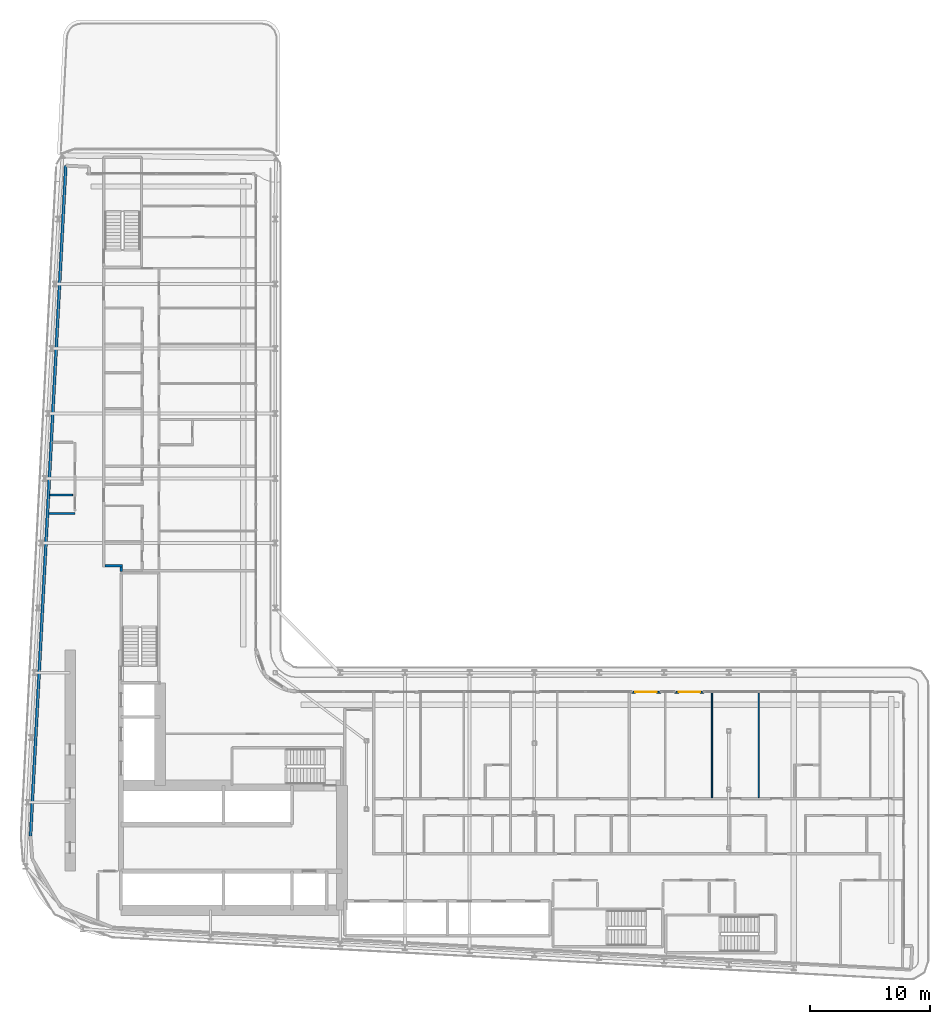
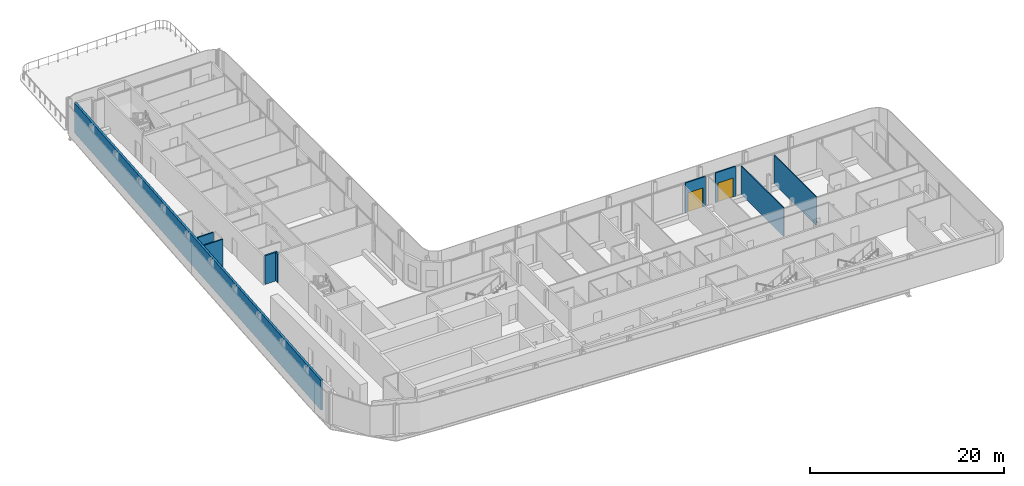
# One storey, part 16 of 28: 9 walls, 2 doors, 2 openings.
"""IFC4 building model written with IfcOpenShell, lengths in metres."""

from ifc_helpers import new_model, si_unit, direction, frame, frame_2d, origin, place, context, subcontext, project, spatial, rectangle, extrude, source, transform, mapped, material, layer, layer_set, type_object, element, fill, save


model = new_model("IFC4")

# Units and contexts
model_context = context("Model", 3, precision=1e-05, world=origin(), true_north=direction((0.0, 1.0)))
body_context = subcontext(model_context, "Body", "Model", "MODEL_VIEW")
ifc_project = project(units=[si_unit("LENGTHUNIT", "METRE"), si_unit("AREAUNIT", "SQUARE_METRE"), si_unit("VOLUMEUNIT", "CUBIC_METRE"), si_unit("PLANEANGLEUNIT", "RADIAN"), si_unit("MASSUNIT", "GRAM", prefix="KILO")], contexts=[model_context])

# Site, building, storey
site_placement = place(None, origin())
site = spatial("IfcSite", under=ifc_project, at=site_placement, CompositionType="ELEMENT")
building_placement = place(site_placement, origin())
building = spatial("IfcBuilding", under=site, at=building_placement, Name="Kheshtan School and Residences Tower", CompositionType="ELEMENT")
storey_placement = place(building_placement, frame((0.0, 0.0, 94.10009765625)))
storey = spatial("IfcBuildingStorey", under=building, at=storey_placement, Name="L21", CompositionType="ELEMENT", Elevation=94.10009765625)

# Walls
ifc_material_1 = material(Name="Gypsum board on steel studs with fire boards", Category="steel")
ifc_layer_1 = layer(ifc_material_1, 0.199951171875)
ifc_layer_set_1 = layer_set([ifc_layer_1], Name="Corridor wall 200")
wall_type_1 = type_object("IfcWallType", Name="Corridor wall 200", PredefinedType="PARTITIONING", material=ifc_layer_set_1)
wall_1_placement = place(storey_placement, frame((33.39990234375, 54.5, 0.0), z_axis=(0.0, 0.0, 1.0), x_axis=(1.0, 0.0, 0.0)))
element("IfcWall", 1, at=wall_1_placement, inside=storey, type_object=wall_type_1, Name="Partition L21-002", PredefinedType="PARTITIONING", context=body_context, shape_type="SweptSolid", body=[
    extrude(rectangle(XDim=1.4501953125, YDim=0.199951171875, at=frame_2d((0.72509765625, 0.0))), origin(), (0.0, 0.0, 1.0), 3.599853515625),
])
wall_2_placement = place(storey_placement, frame((34.75, 54.02490234375, 0.0), z_axis=(0.0, 0.0, 1.0), x_axis=(0.0, 1.0, 0.0)))
element("IfcWall", 2, at=wall_2_placement, inside=storey, type_object=wall_type_1, Name="Partition L21-012", PredefinedType="PARTITIONING", context=body_context, shape_type="SweptSolid", body=[
    extrude(rectangle(XDim=0.375, YDim=0.199951171875, at=frame_2d((0.1875, 0.0))), origin(), (0.0, 0.0, 1.0), 3.599853515625),
])
ifc_material_2 = material(Name="Concrete C40/50 with ceramic cladding and mineral wool insulation", Category="concrete")
ifc_layer_2 = layer(ifc_material_2, 0.25)
ifc_layer_set_2 = layer_set([ifc_layer_2], Name="External wall 250 ceramic clad")
wall_type_2 = type_object("IfcWallType", Name="External wall 250 ceramic clad", PredefinedType="SOLIDWALL", material=ifc_layer_set_2)
wall_3_placement = place(storey_placement, frame((27.195068359375, 31.968994140625, 0.0), z_axis=(0.0, 0.0, 1.0), x_axis=(0.052559748861, 0.998617781135, 0.0)))
element("IfcWall", 3, at=wall_3_placement, inside=storey, type_object=wall_type_2, Name="External wall L21 16", PredefinedType="SOLIDWALL", context=body_context, shape_type="SweptSolid", body=[
    extrude(rectangle(XDim=55.972412109375, YDim=0.25, at=frame_2d((27.986328125, 0.0))), origin(), (0.0, 0.0, 1.0), 3.75),
])

# Wall, opening, door
ifc_material_3 = material(Name="Aluminium frame wall with insulated infill", Category="aluminium")
ifc_layer_3 = layer(ifc_material_3, 0.14990234375)
ifc_layer_set_3 = layer_set([ifc_layer_3], Name="Glazing frame wall 150")
wall_type_3 = type_object("IfcWallType", Name="Glazing frame wall 150", PredefinedType="SOLIDWALL", material=ifc_layer_set_3)
wall_4_placement = place(storey_placement, frame((77.31201171875, 43.97509765625, 0.0), z_axis=(0.0, 0.0, 1.0), x_axis=(1.0, 0.0, 0.0)))
wall_4 = element("IfcWall", 4, at=wall_4_placement, inside=storey, type_object=wall_type_3, Name="Balcony door wall L21 8.3", PredefinedType="SOLIDWALL", context=body_context, shape_type="SweptSolid", body=[
    extrude(rectangle(XDim=2.39990234375, YDim=0.14990234375, at=frame_2d((1.199951171875, 0.0))), origin(), (0.0, 0.0, 1.0), 3.75),
])
opening_1_placement = place(wall_4_placement, frame((0.300048828125, 0.0, 0.0)))
opening_1 = element("IfcOpeningElement", 5, at=opening_1_placement, cuts=wall_4, Name="Opening BD", PredefinedType="OPENING", context=body_context, shape_type="SweptSolid", body=[
    extrude(rectangle(XDim=1.800048828125, YDim=2.39990234375, at=frame_2d((0.89990234375, 1.199951171875))), frame((0.0, 0.0849609375, 0.0), z_axis=(0.0, -1.0, 0.0), x_axis=(1.0, 0.0, 0.0)), (0.0, 0.0, 1.0), 0.169921875),
])
ifc_material_4 = material(Name="Clear low-e glass in thermally broken aluminium frame", Category="aluminium")
door_type = type_object("IfcDoorType", Name="Balcony sliding door", OperationType="SLIDING_TO_LEFT", PredefinedType="DOOR", material=ifc_material_4)
shared_shape = source(origin(), body_context, "Body", "SweptSolid", [
    extrude(rectangle(XDim=1.800048828125, YDim=2.39990234375, at=frame_2d((0.89990234375, 1.199951171875))), frame((0.0, 0.02490234375, 0.0), z_axis=(0.0, -1.0, 0.0), x_axis=(1.0, 0.0, 0.0)), (0.0, 0.0, 1.0), 0.050048828125),
])
door_1_placement = place(opening_1_placement, origin())
door_1 = element("IfcDoor", 6, at=door_1_placement, inside=storey, type_object=door_type, Name="Balcony door L21 8.3", OperationType="SLIDING_TO_LEFT", OverallHeight=2.39990234375, OverallWidth=1.800048828125, PredefinedType="DOOR", context=body_context, shape_type="MappedRepresentation", body=[
    mapped(shared_shape, transform((0.0, 0.0, 0.0), x_axis=(1.0, 0.0, 0.0), y_axis=(0.0, 1.0, 0.0), z_axis=(0.0, 0.0, 1.0), scale=1.0)),
])
fill(opening_1, door_1)

wall_5_placement = place(storey_placement, frame((80.912109375, 43.97509765625, 0.0), z_axis=(0.0, 0.0, 1.0), x_axis=(1.0, 0.0, 0.0)))
wall_5 = element("IfcWall", 7, at=wall_5_placement, inside=storey, type_object=wall_type_3, Name="Balcony door wall L21 8.4", PredefinedType="SOLIDWALL", context=body_context, shape_type="SweptSolid", body=[
    extrude(rectangle(XDim=2.39990234375, YDim=0.14990234375, at=frame_2d((1.199951171875, 0.0))), origin(), (0.0, 0.0, 1.0), 3.75),
])
opening_2_placement = place(wall_5_placement, frame((0.300048828125, 0.0, 0.0)))
opening_2 = element("IfcOpeningElement", 8, at=opening_2_placement, cuts=wall_5, Name="Opening BD", PredefinedType="OPENING", context=body_context, shape_type="SweptSolid", body=[
    extrude(rectangle(XDim=1.800048828125, YDim=2.39990234375, at=frame_2d((0.89990234375, 1.199951171875))), frame((0.0, 0.0849609375, 0.0), z_axis=(0.0, -1.0, 0.0), x_axis=(1.0, 0.0, 0.0)), (0.0, 0.0, 1.0), 0.169921875),
])
door_2_placement = place(opening_2_placement, origin())
door_2 = element("IfcDoor", 9, at=door_2_placement, inside=storey, type_object=door_type, Name="Balcony door L21 8.4", OperationType="SLIDING_TO_LEFT", OverallHeight=2.39990234375, OverallWidth=1.800048828125, PredefinedType="DOOR", context=body_context, shape_type="MappedRepresentation", body=[
    mapped(shared_shape, transform((0.0, 0.0, 0.0), x_axis=(1.0, 0.0, 0.0), y_axis=(0.0, 1.0, 0.0), z_axis=(0.0, 0.0, 1.0), scale=1.0)),
])
fill(opening_2, door_2)

# Walls
ifc_material_5 = material(Name="Gypsum board on steel studs", Category="steel")
ifc_layer_4 = layer(ifc_material_5, 0.10009765625)
ifc_layer_set_4 = layer_set([ifc_layer_4], Name="Gypsum partition 100")
wall_type_4 = type_object("IfcWallType", Name="Gypsum partition 100", PredefinedType="PARTITIONING", material=ifc_layer_set_4)
for number, where, z_axis, x_axis, name in (
    (10, (84.0, 35.175048828125, 0.0), (0.0, 0.0, 1.0), (0.0, 1.0, 0.0), "Partition L21-058"),
    (11, (87.89990234375, 35.175048828125, 0.0), (0.0, 0.0, 1.0), (0.0, 1.0, 0.0), "Partition L21-060"),
):
    element("IfcWall", number, at=place(storey_placement, frame(where, z_axis=z_axis, x_axis=x_axis)), inside=storey, type_object=wall_type_4, Name=name, PredefinedType="PARTITIONING", context=body_context, shape_type="SweptSolid", body=[
        extrude(rectangle(XDim=8.724853515625, YDim=0.10009765625, at=frame_2d((4.3623046875, 0.0))), origin(), (0.0, 0.0, 1.0), 3.599853515625),
    ])
ifc_material_6 = material(Name="Fire-board shaft wall system")
ifc_layer_5 = layer(ifc_material_6, 0.14990234375)
ifc_layer_set_5 = layer_set([ifc_layer_5], Name="Service room wall 150")
wall_type_5 = type_object("IfcWallType", Name="Service room wall 150", PredefinedType="PARTITIONING", material=ifc_layer_set_5)
wall_6_placement = place(storey_placement, frame((28.739013671875, 58.8720703125, 0.0), z_axis=(0.0, 0.0, 1.0), x_axis=(1.0, 0.0, 0.0)))
element("IfcWall", 12, at=wall_6_placement, inside=storey, type_object=wall_type_5, Name="Service room wall", PredefinedType="PARTITIONING", context=body_context, shape_type="SweptSolid", body=[
    extrude(rectangle(XDim=2.160888671875, YDim=0.14990234375, at=frame_2d((1.08056640625, 0.0))), origin(), (0.0, 0.0, 1.0), 3.89990234375),
])
wall_7_placement = place(storey_placement, frame((28.820068359375, 60.4140625, 0.0), z_axis=(0.0, 0.0, 1.0), x_axis=(1.0, 0.0, 0.0)))
element("IfcWall", 13, at=wall_7_placement, inside=storey, type_object=wall_type_5, Name="Service room wall", PredefinedType="PARTITIONING", context=body_context, shape_type="SweptSolid", body=[
    extrude(rectangle(XDim=1.885009765625, YDim=0.14990234375, at=frame_2d((0.9423828125, 0.0))), origin(), (0.0, 0.0, 1.0), 3.89990234375),
])

save(model, "model.ifc")
